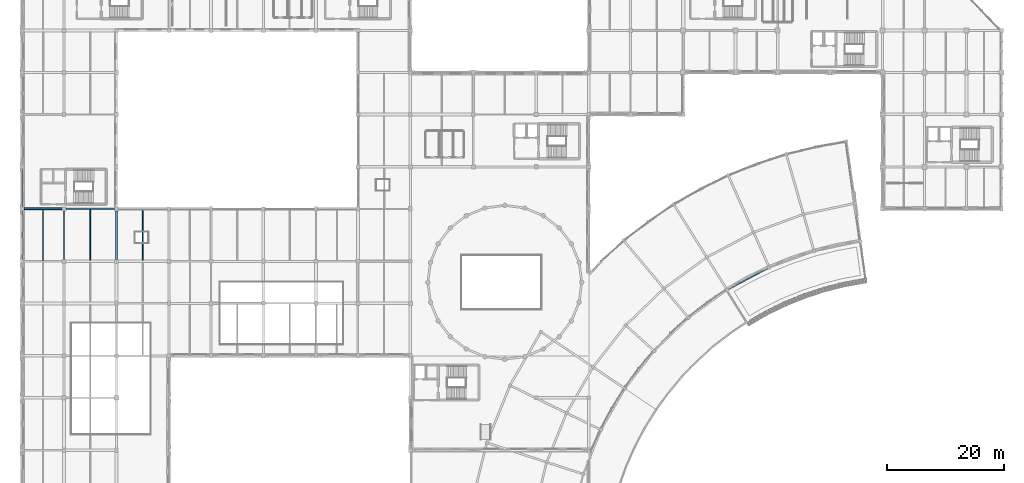
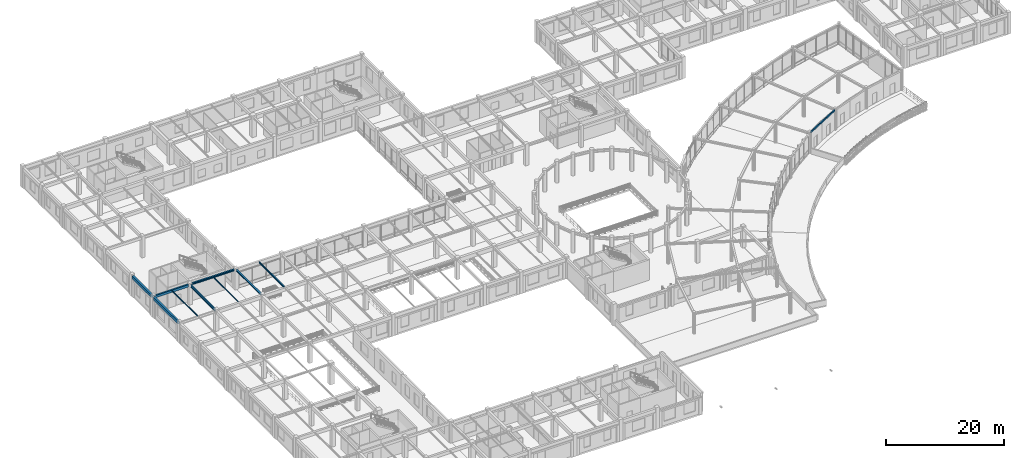
# One storey, part 10 of 62: 10 beams.
"""IFC4 building model written with IfcOpenShell, lengths in metres."""

from ifc_helpers import new_model, si_unit, direction, frame, origin, origin_2d, place, context, subcontext, project, spatial, rectangle, hollow_rectangle, i_section, extrude, material, material_profile, profile_set, type_object, element, save


model = new_model("IFC4")

# Units and contexts
model_context = context("Model", 3, precision=1e-05, world=origin(), true_north=direction((0.0, 1.0)))
body_context = subcontext(model_context, "Body", "Model", "MODEL_VIEW")
ifc_project = project(units=[si_unit("LENGTHUNIT", "METRE"), si_unit("AREAUNIT", "SQUARE_METRE"), si_unit("VOLUMEUNIT", "CUBIC_METRE"), si_unit("PLANEANGLEUNIT", "RADIAN"), si_unit("MASSUNIT", "GRAM", prefix="KILO")], contexts=[model_context])

# Site, building, storey
site_placement = place(None, origin())
site = spatial("IfcSite", under=ifc_project, at=site_placement, CompositionType="ELEMENT")
building_placement = place(site_placement, origin())
building = spatial("IfcBuilding", under=site, at=building_placement, Name="Clarverna Civic Hall", CompositionType="ELEMENT")
storey_placement = place(building_placement, frame((0.0, 0.0, 5.10009765625)))
storey = spatial("IfcBuildingStorey", under=building, at=storey_placement, Name="L01", CompositionType="ELEMENT", Elevation=5.10009765625)

# Beams
ifc_material_1 = material(Name="Concrete C35/45", Category="concrete")
ifc_material_profile_1 = material_profile(ifc_material_1, rectangle(XDim=0.300048828125, YDim=0.5, at=origin_2d()), Name="RC 300x500")
ifc_profile_set_1 = profile_set([ifc_material_profile_1], Name="Concrete C35/45")
beam_type_1 = type_object("IfcBeamType", Name="B-RC12", PredefinedType="BEAM", material=ifc_profile_set_1)
beam_1_placement = place(storey_placement, frame((0.35009765625, 71.60009765625, 3.969970703125), z_axis=(1.0, 0.0, 0.0), x_axis=(0.0, 1.0, 0.0)))
element("IfcBeam", 1, at=beam_1_placement, inside=storey, type_object=beam_type_1, Name="B-RC12-029", PredefinedType="BEAM", context=body_context, shape_type="SweptSolid", body=[
    extrude(rectangle(XDim=0.300048828125, YDim=0.5, at=origin_2d()), origin(), (0.0, 0.0, 1.0), 6.52490234375),
])
ifc_material_profile_2 = material_profile(ifc_material_1, rectangle(XDim=0.360107421875, YDim=0.6201171875, at=origin_2d()), Name="RC 360x620")
ifc_profile_set_2 = profile_set([ifc_material_profile_2], Name="Concrete C35/45")
beam_type_2 = type_object("IfcBeamType", Name="B-SP3", PredefinedType="SPANDREL", material=ifc_profile_set_2)
beam_2_placement = place(storey_placement, frame((0.0, 62.97509765625, 3.909912109375), z_axis=(0.0, 1.0, 0.0), x_axis=(-1.0, 0.0, 0.0)))
element("IfcBeam", 2, at=beam_2_placement, inside=storey, type_object=beam_type_2, Name="B-SP3-072", PredefinedType="SPANDREL", context=body_context, shape_type="SweptSolid", body=[
    extrude(rectangle(XDim=0.360107421875, YDim=0.6201171875, at=origin_2d()), origin(), (0.0, 0.0, 1.0), 8.27490234375),
])
ifc_material_profile_3 = material_profile(ifc_material_1, rectangle(XDim=0.39990234375, YDim=0.56005859375, at=origin_2d()), Name="RC 400x560")
ifc_profile_set_3 = profile_set([ifc_material_profile_3], Name="Concrete C35/45")
beam_type_3 = type_object("IfcBeamType", Name="B-SP4", PredefinedType="SPANDREL", material=ifc_profile_set_3)
beam_3_placement = place(storey_placement, frame((0.0, 71.949951171875, 3.93994140625), z_axis=(0.0, 1.0, 0.0), x_axis=(-1.0, 0.0, 0.0)))
element("IfcBeam", 3, at=beam_3_placement, inside=storey, type_object=beam_type_3, Name="B-SP4-069", PredefinedType="SPANDREL", context=body_context, shape_type="SweptSolid", body=[
    extrude(rectangle(XDim=0.39990234375, YDim=0.56005859375, at=origin_2d()), origin(), (0.0, 0.0, 1.0), 6.525146484375),
])
ifc_material_2 = material(Name="Steel S355", Category="steel")
ifc_material_profile_4 = material_profile(ifc_material_2, i_section(OverallWidth=0.300048828125, OverallDepth=0.2900390625, WebThickness=0.008544921875, FlangeThickness=0.013916015625, FilletRadius=0.027099609375, at=origin_2d()), Name="HEA 300")
ifc_profile_set_4 = profile_set([ifc_material_profile_4], Name="Steel S355")
beam_type_4 = type_object("IfcBeamType", Name="B-ST10", PredefinedType="BEAM", material=ifc_profile_set_4)
beam_4_placement = place(storey_placement, frame((16.199951171875, 62.949951171875, 4.074951171875), z_axis=(0.0, 1.0, 0.0), x_axis=(-1.0, 0.0, 0.0)))
element("IfcBeam", 4, at=beam_4_placement, inside=storey, type_object=beam_type_4, Name="B-ST10-005", PredefinedType="BEAM", context=body_context, shape_type="SweptSolid", body=[
    extrude(i_section(OverallWidth=0.300048828125, OverallDepth=0.2900390625, WebThickness=0.008544921875, FlangeThickness=0.013916015625, FilletRadius=0.027099609375, at=origin_2d()), origin(), (0.0, 0.0, 1.0), 8.324951171875),
])
ifc_material_profile_5 = material_profile(ifc_material_2, i_section(OverallWidth=0.199951171875, OverallDepth=0.5, WebThickness=0.01025390625, FlangeThickness=0.01611328125, FilletRadius=0.02099609375, at=origin_2d()), Name="IPE 500")
ifc_profile_set_5 = profile_set([ifc_material_profile_5], Name="Steel S355")
beam_type_5 = type_object("IfcBeamType", Name="B-ST12", PredefinedType="BEAM", material=ifc_profile_set_5)
beam_5_placement = place(storey_placement, frame((7.199951171875, 62.949951171875, 3.969970703125), z_axis=(0.0, 1.0, 0.0), x_axis=(-1.0, 0.0, 0.0)))
element("IfcBeam", 5, at=beam_5_placement, inside=storey, type_object=beam_type_5, Name="B-ST12-007", PredefinedType="BEAM", context=body_context, shape_type="SweptSolid", body=[
    extrude(i_section(OverallWidth=0.199951171875, OverallDepth=0.5, WebThickness=0.01025390625, FlangeThickness=0.01611328125, FilletRadius=0.02099609375, at=origin_2d()), origin(), (0.0, 0.0, 1.0), 8.324951171875),
])
ifc_material_profile_6 = material_profile(ifc_material_2, hollow_rectangle(XDim=0.199951171875, YDim=0.300048828125, WallThickness=0.010009765625, at=origin_2d()), Name="RHS 300x200x10.0")
ifc_profile_set_6 = profile_set([ifc_material_profile_6], Name="Steel S355")
beam_type_6 = type_object("IfcBeamType", Name="B-ST15", PredefinedType="SPANDREL", material=ifc_profile_set_6)
beam_6_placement = place(storey_placement, frame((127.935546875, 61.41162109375, 4.10986328125), z_axis=(-0.882946367729, -0.469473866913, 0.0), x_axis=(0.469473866913, -0.882946367729, 0.0)))
element("IfcBeam", 6, at=beam_6_placement, inside=storey, type_object=beam_type_6, Name="B-ST15-012", PredefinedType="SPANDREL", context=body_context, shape_type="SweptSolid", body=[
    extrude(hollow_rectangle(XDim=0.199951171875, YDim=0.300048828125, WallThickness=0.010009765625, at=origin_2d()), origin(), (0.0, 0.0, 1.0), 7.6552734375),
])
ifc_material_profile_7 = material_profile(ifc_material_2, i_section(OverallWidth=0.300048828125, OverallDepth=0.35009765625, WebThickness=0.010009765625, FlangeThickness=0.017578125, FilletRadius=0.027099609375, at=origin_2d()), Name="HEA 360")
ifc_profile_set_7 = profile_set([ifc_material_profile_7], Name="Steel S355")
beam_type_7 = type_object("IfcBeamType", Name="B-ST7", PredefinedType="BEAM", material=ifc_profile_set_7)
beam_7_placement = place(storey_placement, frame((7.52490234375, 71.60009765625, 4.044921875), z_axis=(1.0, 0.0, 0.0), x_axis=(0.0, 1.0, 0.0)))
element("IfcBeam", 7, at=beam_7_placement, inside=storey, type_object=beam_type_7, Name="B-ST7-006", PredefinedType="BEAM", context=body_context, shape_type="SweptSolid", body=[
    extrude(i_section(OverallWidth=0.300048828125, OverallDepth=0.35009765625, WebThickness=0.010009765625, FlangeThickness=0.017578125, FilletRadius=0.027099609375, at=origin_2d()), origin(), (0.0, 0.0, 1.0), 8.35009765625),
])
ifc_material_profile_8 = material_profile(ifc_material_2, i_section(OverallWidth=0.169921875, OverallDepth=0.360107421875, WebThickness=0.008056640625, FlangeThickness=0.0126953125, FilletRadius=0.01806640625, at=origin_2d()), Name="IPE 360")
ifc_profile_set_8 = profile_set([ifc_material_profile_8], Name="Steel S355")
beam_type_8 = type_object("IfcBeamType", Name="J-ST1", PredefinedType="JOIST", material=ifc_profile_set_8)
beam_8_placement = place(storey_placement, frame((20.699951171875, 62.800048828125, 4.039794921875), z_axis=(0.0, 1.0, 0.0), x_axis=(-1.0, 0.0, 0.0)))
element("IfcBeam", 8, at=beam_8_placement, inside=storey, type_object=beam_type_8, Name="J-ST1-040", PredefinedType="JOIST", context=body_context, shape_type="SweptSolid", body=[
    extrude(i_section(OverallWidth=0.169921875, OverallDepth=0.360107421875, WebThickness=0.008056640625, FlangeThickness=0.0126953125, FilletRadius=0.01806640625, at=origin_2d()), origin(), (0.0, 0.0, 1.0), 8.599853515625),
])
ifc_material_profile_9 = material_profile(ifc_material_2, i_section(OverallWidth=0.1201171875, OverallDepth=0.239990234375, WebThickness=0.006103515625, FlangeThickness=0.009765625, FilletRadius=0.014892578125, at=origin_2d()), Name="IPE 240")
ifc_profile_set_9 = profile_set([ifc_material_profile_9], Name="Steel S355")
beam_type_9 = type_object("IfcBeamType", Name="J-ST5", PredefinedType="JOIST", material=ifc_profile_set_9)
beam_9_placement = place(storey_placement, frame((3.60009765625, 62.699951171875, 4.099853515625), z_axis=(0.0, 1.0, 0.0), x_axis=(-1.0, 0.0, 0.0)))
element("IfcBeam", 9, at=beam_9_placement, inside=storey, type_object=beam_type_9, Name="J-ST5-039", PredefinedType="JOIST", context=body_context, shape_type="SweptSolid", body=[
    extrude(i_section(OverallWidth=0.1201171875, OverallDepth=0.239990234375, WebThickness=0.006103515625, FlangeThickness=0.009765625, FilletRadius=0.014892578125, at=origin_2d()), origin(), (0.0, 0.0, 1.0), 8.75),
])
ifc_material_profile_10 = material_profile(ifc_material_2, i_section(OverallWidth=0.110107421875, OverallDepth=0.219970703125, WebThickness=0.005859375, FlangeThickness=0.00927734375, FilletRadius=0.011962890625, at=origin_2d()), Name="IPE 220")
ifc_profile_set_10 = profile_set([ifc_material_profile_10], Name="Steel S355")
beam_type_10 = type_object("IfcBeamType", Name="J-ST6", PredefinedType="JOIST", material=ifc_profile_set_10)
beam_10_placement = place(storey_placement, frame((11.699951171875, 62.800048828125, 4.10986328125), z_axis=(0.0, 1.0, 0.0), x_axis=(-1.0, 0.0, 0.0)))
element("IfcBeam", 10, at=beam_10_placement, inside=storey, type_object=beam_type_10, Name="J-ST6-040", PredefinedType="JOIST", context=body_context, shape_type="SweptSolid", body=[
    extrude(i_section(OverallWidth=0.110107421875, OverallDepth=0.219970703125, WebThickness=0.005859375, FlangeThickness=0.00927734375, FilletRadius=0.011962890625, at=origin_2d()), origin(), (0.0, 0.0, 1.0), 8.64990234375),
])

save(model, "model.ifc")
